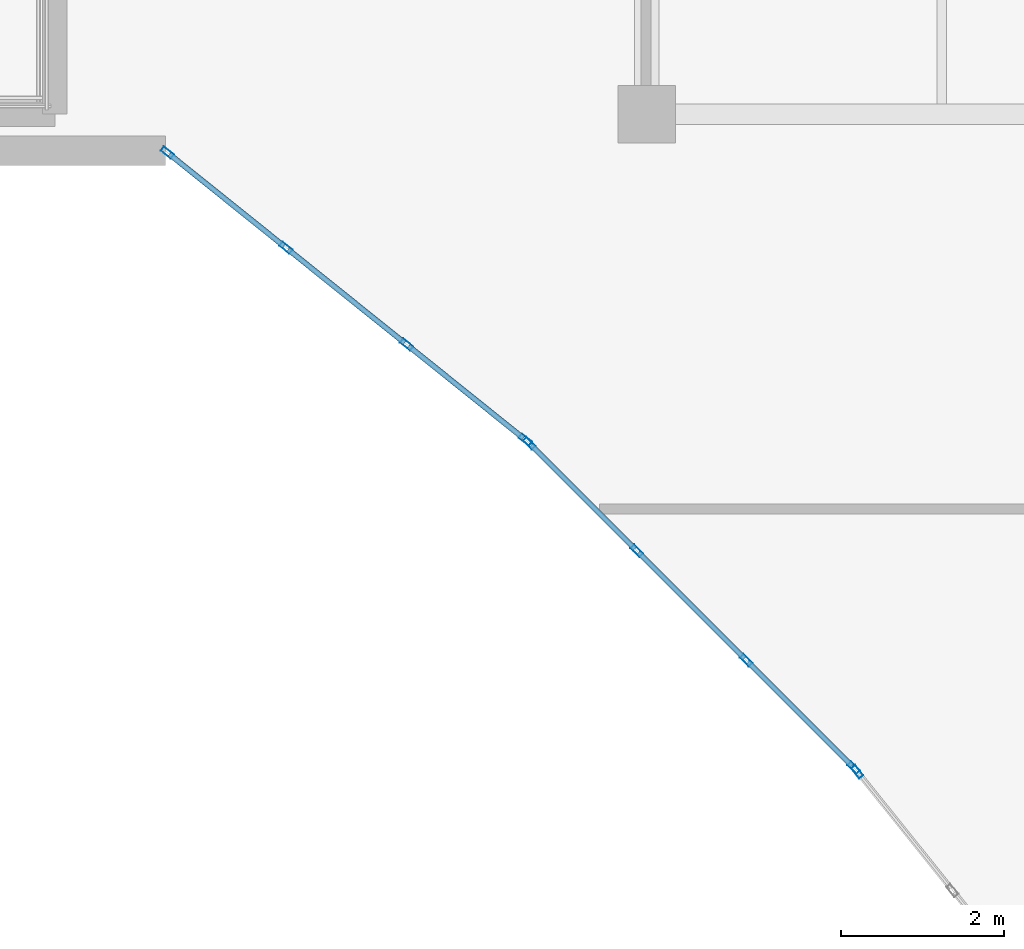
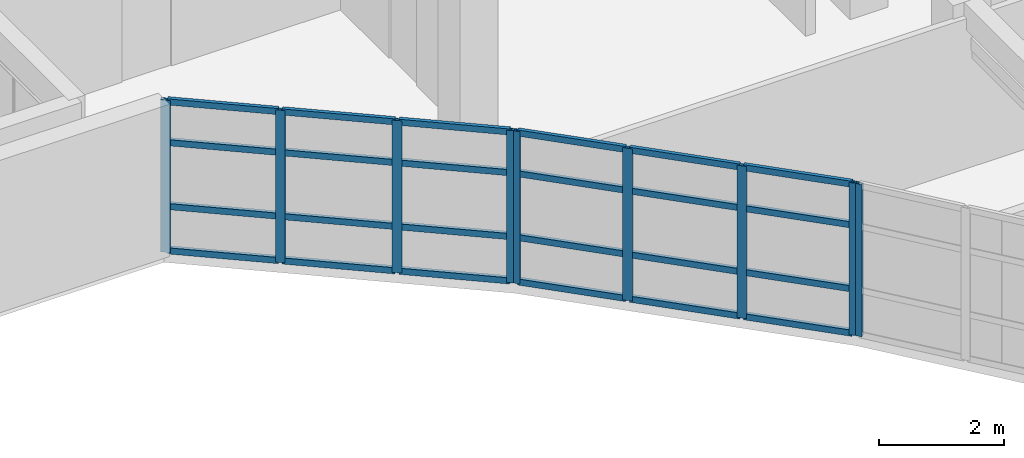
# One storey, part 32 of 89: 33 members, 3 elements without a shape of their own.
"""IFC4 building model written with IfcOpenShell, lengths in metres."""

from ifc_helpers import new_model, si_unit, direction, frame, origin, origin_2d, place, context, subcontext, project, spatial, hollow_rectangle, extrude, material, layer, layer_set, material_profile, profile_set, type_object, element, aggregate, save


model = new_model("IFC4")

# Units and contexts
model_context = context("Model", 3, precision=1e-05, world=origin(), true_north=direction((0.0, 1.0)))
body_context = subcontext(model_context, "Body", "Model", "MODEL_VIEW")
ifc_project = project(units=[si_unit("LENGTHUNIT", "METRE"), si_unit("AREAUNIT", "SQUARE_METRE"), si_unit("VOLUMEUNIT", "CUBIC_METRE"), si_unit("PLANEANGLEUNIT", "RADIAN"), si_unit("MASSUNIT", "GRAM", prefix="KILO")], contexts=[model_context])

# Site, building, storey
site_placement = place(None, origin())
site = spatial("IfcSite", under=ifc_project, at=site_placement, CompositionType="ELEMENT")
building_placement = place(site_placement, origin())
building = spatial("IfcBuilding", under=site, at=building_placement, Name="Keldmere Railside Commons", CompositionType="ELEMENT")
storey_placement = place(building_placement, frame((0.0, 0.0, 7.360107421875)))
storey = spatial("IfcBuildingStorey", under=building, at=storey_placement, Name="L02", CompositionType="ELEMENT", Elevation=7.360107421875)

# Curtain wall, members
ifc_material = material(Name="Thermally Broken Aluminium", Category="aluminium")
ifc_layer_1 = layer(ifc_material, 0.159912109375, Name="Court Chord Wintergarden CW 5400x2850")
ifc_layer_set_1 = layer_set([ifc_layer_1], Name="Thermally Broken Aluminium")
curtain_wall_type_1 = type_object("IfcCurtainWallType", Name="Court Chord Wintergarden CW 5400x2850", PredefinedType="NOTDEFINED", material=ifc_layer_set_1)
curtain_wall_1_placement = place(storey_placement, origin())
curtain_wall_1 = element("IfcCurtainWall", 1, at=curtain_wall_1_placement, inside=storey, type_object=curtain_wall_type_1, Name="CW-13 CW-L02-163", PredefinedType="NOTDEFINED")
ifc_material_profile_1 = material_profile(ifc_material, hollow_rectangle(XDim=0.06494140625, YDim=0.159912109375, WallThickness=0.00390625, at=origin_2d()), Name="ALU-MULL-65x160")
ifc_profile_set_1 = profile_set([ifc_material_profile_1], Name="Thermally Broken Aluminium")
member_type_1 = type_object("IfcMemberType", Name="Unitised Curtain Wall Mullion 65x160", PredefinedType="MULLION", material=ifc_profile_set_1)
member_1_placement = place(storey_placement, frame((160.404541015625, 96.46630859375, 0.0), z_axis=(0.0, 0.0, 1.0), x_axis=(-0.625768080915, -0.780009172323, 0.0)))
member_1 = element("IfcMember", 2, at=member_1_placement, type_object=member_type_1, Name="CW-13 mullion 1", PredefinedType="MULLION", context=body_context, shape_type="SweptSolid", body=[
    extrude(hollow_rectangle(XDim=0.06494140625, YDim=0.159912109375, WallThickness=0.00390625, at=origin_2d()), origin(), (0.0, 0.0, 1.0), 2.97998046875),
])
member_2_placement = place(storey_placement, frame((158.953369140625, 97.630615234375, 0.0), z_axis=(0.0, 0.0, 1.0), x_axis=(-0.625768080915, -0.780009172323, 0.0)))
member_2 = element("IfcMember", 3, at=member_2_placement, type_object=member_type_1, Name="CW-13 mullion 2", PredefinedType="MULLION", context=body_context, shape_type="SweptSolid", body=[
    extrude(hollow_rectangle(XDim=0.06494140625, YDim=0.159912109375, WallThickness=0.00390625, at=origin_2d()), origin(), (0.0, 0.0, 1.0), 2.97998046875),
])
member_3_placement = place(storey_placement, frame((157.4765625, 98.8154296875, 0.0), z_axis=(0.0, 0.0, 1.0), x_axis=(-0.625768080915, -0.780009172323, 0.0)))
member_3 = element("IfcMember", 4, at=member_3_placement, type_object=member_type_1, Name="CW-13 mullion 3", PredefinedType="MULLION", context=body_context, shape_type="SweptSolid", body=[
    extrude(hollow_rectangle(XDim=0.06494140625, YDim=0.159912109375, WallThickness=0.00390625, at=origin_2d()), origin(), (0.0, 0.0, 1.0), 2.97998046875),
])
member_4_placement = place(storey_placement, frame((156.025390625, 99.979736328125, 0.0), z_axis=(0.0, 0.0, 1.0), x_axis=(-0.625768080915, -0.780009172323, 0.0)))
member_4 = element("IfcMember", 5, at=member_4_placement, type_object=member_type_1, Name="CW-13 mullion 4", PredefinedType="MULLION", context=body_context, shape_type="SweptSolid", body=[
    extrude(hollow_rectangle(XDim=0.06494140625, YDim=0.159912109375, WallThickness=0.00390625, at=origin_2d()), origin(), (0.0, 0.0, 1.0), 2.97998046875),
])

ifc_layer_2 = layer(ifc_material, 0.159912109375, Name="Court Chord Wintergarden CW 4800x2850")
ifc_layer_set_2 = layer_set([ifc_layer_2], Name="Thermally Broken Aluminium")
curtain_wall_type_2 = type_object("IfcCurtainWallType", Name="Court Chord Wintergarden CW 4800x2850", PredefinedType="NOTDEFINED", material=ifc_layer_set_2)
curtain_wall_2_placement = place(storey_placement, origin())
curtain_wall_2 = element("IfcCurtainWall", 6, at=curtain_wall_2_placement, inside=storey, type_object=curtain_wall_type_2, Name="CW-12 CW-L02-164", PredefinedType="NOTDEFINED")
member_5_placement = place(storey_placement, frame((164.423095703125, 92.452880859375, 0.0), z_axis=(0.0, 0.0, 1.0), x_axis=(-0.707106781187, -0.707106781187, 0.0)))
member_5 = element("IfcMember", 7, at=member_5_placement, type_object=member_type_1, Name="CW-12 mullion 1", PredefinedType="MULLION", context=body_context, shape_type="SweptSolid", body=[
    extrude(hollow_rectangle(XDim=0.06494140625, YDim=0.159912109375, WallThickness=0.00390625, at=origin_2d()), origin(), (0.0, 0.0, 1.0), 2.97998046875),
])
member_6_placement = place(storey_placement, frame((163.107421875, 93.7685546875, 0.0), z_axis=(0.0, 0.0, 1.0), x_axis=(-0.707106781187, -0.707106781187, 0.0)))
member_6 = element("IfcMember", 8, at=member_6_placement, type_object=member_type_1, Name="CW-12 mullion 2", PredefinedType="MULLION", context=body_context, shape_type="SweptSolid", body=[
    extrude(hollow_rectangle(XDim=0.06494140625, YDim=0.159912109375, WallThickness=0.00390625, at=origin_2d()), origin(), (0.0, 0.0, 1.0), 2.97998046875),
])
member_7_placement = place(storey_placement, frame((161.7685546875, 95.107421875, 0.0), z_axis=(0.0, 0.0, 1.0), x_axis=(-0.707106781187, -0.707106781187, 0.0)))
member_7 = element("IfcMember", 9, at=member_7_placement, type_object=member_type_1, Name="CW-12 mullion 3", PredefinedType="MULLION", context=body_context, shape_type="SweptSolid", body=[
    extrude(hollow_rectangle(XDim=0.06494140625, YDim=0.159912109375, WallThickness=0.00390625, at=origin_2d()), origin(), (0.0, 0.0, 1.0), 2.97998046875),
])
member_8_placement = place(storey_placement, frame((160.452880859375, 96.423095703125, 0.0), z_axis=(0.0, 0.0, 1.0), x_axis=(-0.707106781187, -0.707106781187, 0.0)))
member_8 = element("IfcMember", 10, at=member_8_placement, type_object=member_type_1, Name="CW-12 mullion 4", PredefinedType="MULLION", context=body_context, shape_type="SweptSolid", body=[
    extrude(hollow_rectangle(XDim=0.06494140625, YDim=0.159912109375, WallThickness=0.00390625, at=origin_2d()), origin(), (0.0, 0.0, 1.0), 2.97998046875),
])

# Curtain wall, member
curtain_wall_3_placement = place(storey_placement, origin())
curtain_wall_3 = element("IfcCurtainWall", 11, at=curtain_wall_3_placement, inside=storey, type_object=curtain_wall_type_1, Name="CW-13 CW-L02-165", PredefinedType="NOTDEFINED")
member_9_placement = place(storey_placement, frame((164.46630859375, 92.404541015625, 0.0), z_axis=(0.0, 0.0, 1.0), x_axis=(-0.780009172323, -0.625768080915, 0.0)))
member_9 = element("IfcMember", 12, at=member_9_placement, type_object=member_type_1, Name="CW-13 mullion 4", PredefinedType="MULLION", context=body_context, shape_type="SweptSolid", body=[
    extrude(hollow_rectangle(XDim=0.06494140625, YDim=0.159912109375, WallThickness=0.00390625, at=origin_2d()), origin(), (0.0, 0.0, 1.0), 2.97998046875),
])
aggregate(curtain_wall_3, [member_9])

# Member
ifc_material_profile_2 = material_profile(ifc_material, hollow_rectangle(XDim=0.06494140625, YDim=0.1201171875, WallThickness=0.00390625, at=origin_2d()), Name="ALU-TRAN-65x120")
ifc_profile_set_2 = profile_set([ifc_material_profile_2], Name="Thermally Broken Aluminium")
member_type_2 = type_object("IfcMemberType", Name="Unitised Curtain Wall Transom 65x120", PredefinedType="USERDEFINED", material=ifc_profile_set_2)
member_10_placement = place(storey_placement, frame((160.37939453125, 96.486572265625, 0.032470703125), z_axis=(-0.779979331565, 0.625805275091, 0.0), x_axis=(-0.625805275091, -0.779979331565, 0.0)))
member_10 = element("IfcMember", 13, at=member_10_placement, type_object=member_type_2, Name="CW-13 transom 1.1", ObjectType="TRANSOM", PredefinedType="USERDEFINED", context=body_context, shape_type="SweptSolid", body=[
    extrude(hollow_rectangle(XDim=0.06494140625, YDim=0.1201171875, WallThickness=0.00390625, at=origin_2d()), origin(), (0.0, 0.0, 1.0), 1.795654296875),
])

member_11_placement = place(storey_placement, frame((160.37939453125, 96.486572265625, 0.89990234375), z_axis=(-0.779979331565, 0.625805275091, 0.0), x_axis=(-0.625805275091, -0.779979331565, 0.0)))
member_11 = element("IfcMember", 14, at=member_11_placement, type_object=member_type_2, Name="CW-13 transom 1.2", ObjectType="TRANSOM", PredefinedType="USERDEFINED", context=body_context, shape_type="SweptSolid", body=[
    extrude(hollow_rectangle(XDim=0.06494140625, YDim=0.1201171875, WallThickness=0.00390625, at=origin_2d()), origin(), (0.0, 0.0, 1.0), 1.795654296875),
])

member_12_placement = place(storey_placement, frame((160.37939453125, 96.486572265625, 2.14990234375), z_axis=(-0.779979331565, 0.625805275091, 0.0), x_axis=(-0.625805275091, -0.779979331565, 0.0)))
member_12 = element("IfcMember", 15, at=member_12_placement, type_object=member_type_2, Name="CW-13 transom 1.3", ObjectType="TRANSOM", PredefinedType="USERDEFINED", context=body_context, shape_type="SweptSolid", body=[
    extrude(hollow_rectangle(XDim=0.06494140625, YDim=0.1201171875, WallThickness=0.00390625, at=origin_2d()), origin(), (0.0, 0.0, 1.0), 1.795654296875),
])

member_13_placement = place(storey_placement, frame((160.37939453125, 96.486572265625, 2.947509765625), z_axis=(-0.779979331565, 0.625805275091, 0.0), x_axis=(-0.625805275091, -0.779979331565, 0.0)))
member_13 = element("IfcMember", 16, at=member_13_placement, type_object=member_type_2, Name="CW-13 transom 1.4", ObjectType="TRANSOM", PredefinedType="USERDEFINED", context=body_context, shape_type="SweptSolid", body=[
    extrude(hollow_rectangle(XDim=0.06494140625, YDim=0.1201171875, WallThickness=0.00390625, at=origin_2d()), origin(), (0.0, 0.0, 1.0), 1.795654296875),
])

member_14_placement = place(storey_placement, frame((158.927978515625, 97.651123046875, 0.032470703125), z_axis=(-0.78007338409, 0.625688033635, 0.0), x_axis=(-0.625688033635, -0.78007338409, 0.0)))
member_14 = element("IfcMember", 17, at=member_14_placement, type_object=member_type_2, Name="CW-13 transom 2.1", ObjectType="TRANSOM", PredefinedType="USERDEFINED", context=body_context, shape_type="SweptSolid", body=[
    extrude(hollow_rectangle(XDim=0.06494140625, YDim=0.1201171875, WallThickness=0.00390625, at=origin_2d()), origin(), (0.0, 0.0, 1.0), 1.828125),
])

member_15_placement = place(storey_placement, frame((158.927978515625, 97.651123046875, 0.89990234375), z_axis=(-0.78007338409, 0.625688033635, 0.0), x_axis=(-0.625688033635, -0.78007338409, 0.0)))
member_15 = element("IfcMember", 18, at=member_15_placement, type_object=member_type_2, Name="CW-13 transom 2.2", ObjectType="TRANSOM", PredefinedType="USERDEFINED", context=body_context, shape_type="SweptSolid", body=[
    extrude(hollow_rectangle(XDim=0.06494140625, YDim=0.1201171875, WallThickness=0.00390625, at=origin_2d()), origin(), (0.0, 0.0, 1.0), 1.828125),
])

member_16_placement = place(storey_placement, frame((158.927978515625, 97.651123046875, 2.14990234375), z_axis=(-0.78007338409, 0.625688033635, 0.0), x_axis=(-0.625688033635, -0.78007338409, 0.0)))
member_16 = element("IfcMember", 19, at=member_16_placement, type_object=member_type_2, Name="CW-13 transom 2.3", ObjectType="TRANSOM", PredefinedType="USERDEFINED", context=body_context, shape_type="SweptSolid", body=[
    extrude(hollow_rectangle(XDim=0.06494140625, YDim=0.1201171875, WallThickness=0.00390625, at=origin_2d()), origin(), (0.0, 0.0, 1.0), 1.828125),
])

member_17_placement = place(storey_placement, frame((158.927978515625, 97.651123046875, 2.947509765625), z_axis=(-0.78007338409, 0.625688033635, 0.0), x_axis=(-0.625688033635, -0.78007338409, 0.0)))
member_17 = element("IfcMember", 20, at=member_17_placement, type_object=member_type_2, Name="CW-13 transom 2.4", ObjectType="TRANSOM", PredefinedType="USERDEFINED", context=body_context, shape_type="SweptSolid", body=[
    extrude(hollow_rectangle(XDim=0.06494140625, YDim=0.1201171875, WallThickness=0.00390625, at=origin_2d()), origin(), (0.0, 0.0, 1.0), 1.828125),
])

member_18_placement = place(storey_placement, frame((157.451416015625, 98.835693359375, 0.032470703125), z_axis=(-0.780045694992, 0.625722553313, 0.0), x_axis=(-0.625722553313, -0.780045694992, 0.0)))
member_18 = element("IfcMember", 21, at=member_18_placement, type_object=member_type_2, Name="CW-13 transom 3.1", ObjectType="TRANSOM", PredefinedType="USERDEFINED", context=body_context, shape_type="SweptSolid", body=[
    extrude(hollow_rectangle(XDim=0.06494140625, YDim=0.1201171875, WallThickness=0.00390625, at=origin_2d()), origin(), (0.0, 0.0, 1.0), 1.795654296875),
])

member_19_placement = place(storey_placement, frame((157.451416015625, 98.835693359375, 0.89990234375), z_axis=(-0.780045694992, 0.625722553313, 0.0), x_axis=(-0.625722553313, -0.780045694992, 0.0)))
member_19 = element("IfcMember", 22, at=member_19_placement, type_object=member_type_2, Name="CW-13 transom 3.2", ObjectType="TRANSOM", PredefinedType="USERDEFINED", context=body_context, shape_type="SweptSolid", body=[
    extrude(hollow_rectangle(XDim=0.06494140625, YDim=0.1201171875, WallThickness=0.00390625, at=origin_2d()), origin(), (0.0, 0.0, 1.0), 1.795654296875),
])

member_20_placement = place(storey_placement, frame((157.451416015625, 98.835693359375, 2.14990234375), z_axis=(-0.780045694992, 0.625722553313, 0.0), x_axis=(-0.625722553313, -0.780045694992, 0.0)))
member_20 = element("IfcMember", 23, at=member_20_placement, type_object=member_type_2, Name="CW-13 transom 3.3", ObjectType="TRANSOM", PredefinedType="USERDEFINED", context=body_context, shape_type="SweptSolid", body=[
    extrude(hollow_rectangle(XDim=0.06494140625, YDim=0.1201171875, WallThickness=0.00390625, at=origin_2d()), origin(), (0.0, 0.0, 1.0), 1.795654296875),
])

member_21_placement = place(storey_placement, frame((157.451416015625, 98.835693359375, 2.947509765625), z_axis=(-0.780045694992, 0.625722553313, 0.0), x_axis=(-0.625722553313, -0.780045694992, 0.0)))
member_21 = element("IfcMember", 24, at=member_21_placement, type_object=member_type_2, Name="CW-13 transom 3.4", ObjectType="TRANSOM", PredefinedType="USERDEFINED", context=body_context, shape_type="SweptSolid", body=[
    extrude(hollow_rectangle(XDim=0.06494140625, YDim=0.1201171875, WallThickness=0.00390625, at=origin_2d()), origin(), (0.0, 0.0, 1.0), 1.795654296875),
])

aggregate(curtain_wall_1, [member_1, member_2, member_3, member_4, member_10, member_11, member_12, member_13, member_14, member_15, member_16, member_17, member_18, member_19, member_20, member_21])

member_22_placement = place(storey_placement, frame((164.400146484375, 92.47607421875, 0.032470703125), z_axis=(-0.707174762418, 0.707038793419, 0.0), x_axis=(-0.707038793419, -0.707174762418, 0.0)))
member_22 = element("IfcMember", 25, at=member_22_placement, type_object=member_type_2, Name="CW-12 transom 1.1", ObjectType="TRANSOM", PredefinedType="USERDEFINED", context=body_context, shape_type="SweptSolid", body=[
    extrude(hollow_rectangle(XDim=0.06494140625, YDim=0.1201171875, WallThickness=0.00390625, at=origin_2d()), origin(), (0.0, 0.0, 1.0), 1.795654296875),
])

member_23_placement = place(storey_placement, frame((164.400146484375, 92.47607421875, 0.89990234375), z_axis=(-0.707174762418, 0.707038793419, 0.0), x_axis=(-0.707038793419, -0.707174762418, 0.0)))
member_23 = element("IfcMember", 26, at=member_23_placement, type_object=member_type_2, Name="CW-12 transom 1.2", ObjectType="TRANSOM", PredefinedType="USERDEFINED", context=body_context, shape_type="SweptSolid", body=[
    extrude(hollow_rectangle(XDim=0.06494140625, YDim=0.1201171875, WallThickness=0.00390625, at=origin_2d()), origin(), (0.0, 0.0, 1.0), 1.795654296875),
])

member_24_placement = place(storey_placement, frame((164.400146484375, 92.47607421875, 2.14990234375), z_axis=(-0.707174762418, 0.707038793419, 0.0), x_axis=(-0.707038793419, -0.707174762418, 0.0)))
member_24 = element("IfcMember", 27, at=member_24_placement, type_object=member_type_2, Name="CW-12 transom 1.3", ObjectType="TRANSOM", PredefinedType="USERDEFINED", context=body_context, shape_type="SweptSolid", body=[
    extrude(hollow_rectangle(XDim=0.06494140625, YDim=0.1201171875, WallThickness=0.00390625, at=origin_2d()), origin(), (0.0, 0.0, 1.0), 1.795654296875),
])

member_25_placement = place(storey_placement, frame((164.400146484375, 92.47607421875, 2.947509765625), z_axis=(-0.707174762418, 0.707038793419, 0.0), x_axis=(-0.707038793419, -0.707174762418, 0.0)))
member_25 = element("IfcMember", 28, at=member_25_placement, type_object=member_type_2, Name="CW-12 transom 1.4", ObjectType="TRANSOM", PredefinedType="USERDEFINED", context=body_context, shape_type="SweptSolid", body=[
    extrude(hollow_rectangle(XDim=0.06494140625, YDim=0.1201171875, WallThickness=0.00390625, at=origin_2d()), origin(), (0.0, 0.0, 1.0), 1.795654296875),
])

member_26_placement = place(storey_placement, frame((163.08447265625, 93.791748046875, 0.032470703125), z_axis=(-0.707106781187, 0.707106781187, 0.0), x_axis=(-0.707106781187, -0.707106781187, 0.0)))
member_26 = element("IfcMember", 29, at=member_26_placement, type_object=member_type_2, Name="CW-12 transom 2.1", ObjectType="TRANSOM", PredefinedType="USERDEFINED", context=body_context, shape_type="SweptSolid", body=[
    extrude(hollow_rectangle(XDim=0.06494140625, YDim=0.1201171875, WallThickness=0.00390625, at=origin_2d()), origin(), (0.0, 0.0, 1.0), 1.828125),
])

member_27_placement = place(storey_placement, frame((163.08447265625, 93.791748046875, 0.89990234375), z_axis=(-0.707106781187, 0.707106781187, 0.0), x_axis=(-0.707106781187, -0.707106781187, 0.0)))
member_27 = element("IfcMember", 30, at=member_27_placement, type_object=member_type_2, Name="CW-12 transom 2.2", ObjectType="TRANSOM", PredefinedType="USERDEFINED", context=body_context, shape_type="SweptSolid", body=[
    extrude(hollow_rectangle(XDim=0.06494140625, YDim=0.1201171875, WallThickness=0.00390625, at=origin_2d()), origin(), (0.0, 0.0, 1.0), 1.828125),
])

member_28_placement = place(storey_placement, frame((163.08447265625, 93.791748046875, 2.14990234375), z_axis=(-0.707106781187, 0.707106781187, 0.0), x_axis=(-0.707106781187, -0.707106781187, 0.0)))
member_28 = element("IfcMember", 31, at=member_28_placement, type_object=member_type_2, Name="CW-12 transom 2.3", ObjectType="TRANSOM", PredefinedType="USERDEFINED", context=body_context, shape_type="SweptSolid", body=[
    extrude(hollow_rectangle(XDim=0.06494140625, YDim=0.1201171875, WallThickness=0.00390625, at=origin_2d()), origin(), (0.0, 0.0, 1.0), 1.828125),
])

member_29_placement = place(storey_placement, frame((163.08447265625, 93.791748046875, 2.947509765625), z_axis=(-0.707106781187, 0.707106781187, 0.0), x_axis=(-0.707106781187, -0.707106781187, 0.0)))
member_29 = element("IfcMember", 32, at=member_29_placement, type_object=member_type_2, Name="CW-12 transom 2.4", ObjectType="TRANSOM", PredefinedType="USERDEFINED", context=body_context, shape_type="SweptSolid", body=[
    extrude(hollow_rectangle(XDim=0.06494140625, YDim=0.1201171875, WallThickness=0.00390625, at=origin_2d()), origin(), (0.0, 0.0, 1.0), 1.828125),
])

member_30_placement = place(storey_placement, frame((161.74560546875, 95.13037109375, 0.032470703125), z_axis=(-0.707038793419, 0.707174762418, 0.0), x_axis=(-0.707174762418, -0.707038793419, 0.0)))
member_30 = element("IfcMember", 33, at=member_30_placement, type_object=member_type_2, Name="CW-12 transom 3.1", ObjectType="TRANSOM", PredefinedType="USERDEFINED", context=body_context, shape_type="SweptSolid", body=[
    extrude(hollow_rectangle(XDim=0.06494140625, YDim=0.1201171875, WallThickness=0.00390625, at=origin_2d()), origin(), (0.0, 0.0, 1.0), 1.795654296875),
])

member_31_placement = place(storey_placement, frame((161.74560546875, 95.13037109375, 0.89990234375), z_axis=(-0.707038793419, 0.707174762418, 0.0), x_axis=(-0.707174762418, -0.707038793419, 0.0)))
member_31 = element("IfcMember", 34, at=member_31_placement, type_object=member_type_2, Name="CW-12 transom 3.2", ObjectType="TRANSOM", PredefinedType="USERDEFINED", context=body_context, shape_type="SweptSolid", body=[
    extrude(hollow_rectangle(XDim=0.06494140625, YDim=0.1201171875, WallThickness=0.00390625, at=origin_2d()), origin(), (0.0, 0.0, 1.0), 1.795654296875),
])

member_32_placement = place(storey_placement, frame((161.74560546875, 95.13037109375, 2.14990234375), z_axis=(-0.707038793419, 0.707174762418, 0.0), x_axis=(-0.707174762418, -0.707038793419, 0.0)))
member_32 = element("IfcMember", 35, at=member_32_placement, type_object=member_type_2, Name="CW-12 transom 3.3", ObjectType="TRANSOM", PredefinedType="USERDEFINED", context=body_context, shape_type="SweptSolid", body=[
    extrude(hollow_rectangle(XDim=0.06494140625, YDim=0.1201171875, WallThickness=0.00390625, at=origin_2d()), origin(), (0.0, 0.0, 1.0), 1.795654296875),
])

member_33_placement = place(storey_placement, frame((161.74560546875, 95.13037109375, 2.947509765625), z_axis=(-0.707038793419, 0.707174762418, 0.0), x_axis=(-0.707174762418, -0.707038793419, 0.0)))
member_33 = element("IfcMember", 36, at=member_33_placement, type_object=member_type_2, Name="CW-12 transom 3.4", ObjectType="TRANSOM", PredefinedType="USERDEFINED", context=body_context, shape_type="SweptSolid", body=[
    extrude(hollow_rectangle(XDim=0.06494140625, YDim=0.1201171875, WallThickness=0.00390625, at=origin_2d()), origin(), (0.0, 0.0, 1.0), 1.795654296875),
])

aggregate(curtain_wall_2, [member_5, member_6, member_7, member_8, member_22, member_23, member_24, member_25, member_26, member_27, member_28, member_29, member_30, member_31, member_32, member_33])

save(model, "model.ifc")
